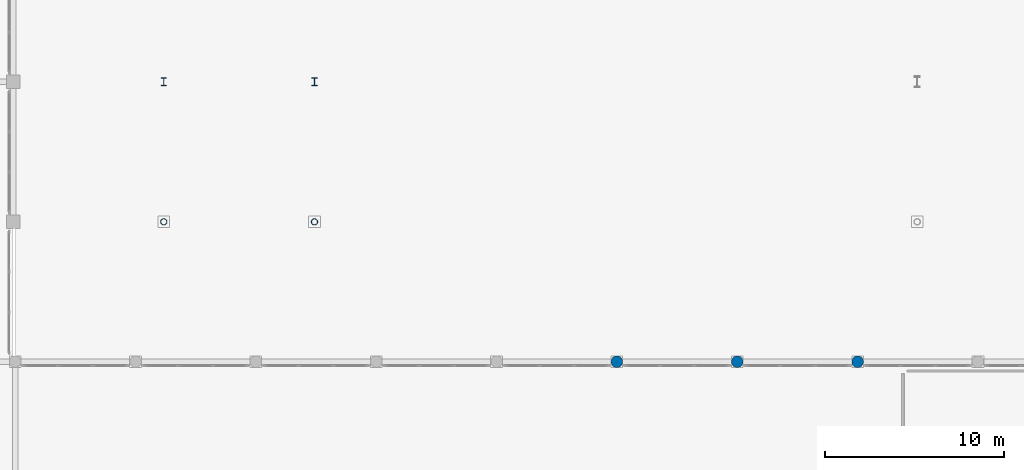
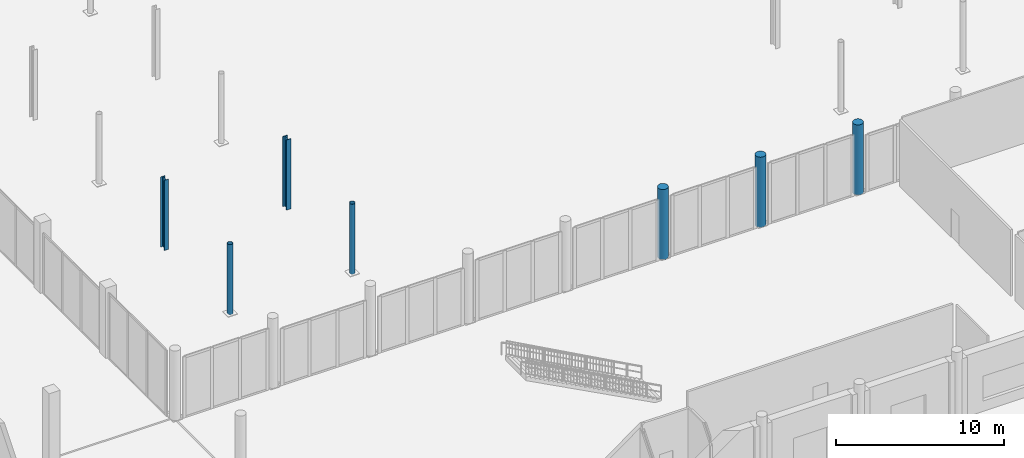
# One storey, part 6 of 80: 7 columns.
"""IFC4 building model written with IfcOpenShell, lengths in metres."""

from ifc_helpers import new_model, si_unit, direction, frame, origin, origin_2d, place, context, subcontext, project, spatial, circle, hollow_circle, i_section, extrude, material, material_profile, profile_set, type_object, element, save


model = new_model("IFC4")

# Units and contexts
model_context = context("Model", 3, precision=1e-05, world=origin(), true_north=direction((0.0, 1.0)))
body_context = subcontext(model_context, "Body", "Model", "MODEL_VIEW")
ifc_project = project(units=[si_unit("LENGTHUNIT", "METRE"), si_unit("AREAUNIT", "SQUARE_METRE"), si_unit("VOLUMEUNIT", "CUBIC_METRE"), si_unit("PLANEANGLEUNIT", "RADIAN"), si_unit("MASSUNIT", "GRAM", prefix="KILO")], contexts=[model_context])

# Site, building, storey
site_placement = place(None, origin())
site = spatial("IfcSite", under=ifc_project, at=site_placement, CompositionType="ELEMENT")
building_placement = place(site_placement, origin())
building = spatial("IfcBuilding", under=site, at=building_placement, Name="Nabrawat Pavilion Hospital", CompositionType="ELEMENT")
storey_placement = place(building_placement, origin())
storey = spatial("IfcBuildingStorey", under=building, at=storey_placement, Name="L00", CompositionType="ELEMENT", Elevation=0.0)

# Columns
ifc_material_1 = material(Name="Steel S355", Category="steel")
ifc_material_profile_1 = material_profile(ifc_material_1, hollow_circle(Radius=0.177734375, WallThickness=0.01611328125, at=origin_2d()), Name="CHS 355.6x16")
ifc_profile_set_1 = profile_set([ifc_material_profile_1], Name="Steel S355")
column_type_1 = type_object("IfcColumnType", Name="Courtyard Link Bridge Column CHS 355.6x16", PredefinedType="COLUMN", material=ifc_profile_set_1)
for number, where, z_axis, x_axis, name in (
    (1, (75.60009765625, 46.800048828125, 0.0), (0.0, 0.0, 1.0), (1.0, 0.0, 0.0), "L00 Structural Column G-10-G"),
    (2, (67.199951171875, 46.800048828125, 0.0), (0.0, 0.0, 1.0), (1.0, 0.0, 0.0), "L00 Structural Column G-9-G"),
):
    element("IfcColumn", number, at=place(storey_placement, frame(where, z_axis=z_axis, x_axis=x_axis)), inside=storey, type_object=column_type_1, Name=name, PredefinedType="COLUMN", context=body_context, shape_type="SweptSolid", body=[
        extrude(hollow_circle(Radius=0.177734375, WallThickness=0.01611328125, at=origin_2d()), origin(), (0.0, 0.0, 1.0), 5.10009765625),
    ])
ifc_material_profile_2 = material_profile(ifc_material_1, i_section(OverallWidth=0.300048828125, OverallDepth=0.43994140625, WebThickness=0.011474609375, FlangeThickness=0.02099609375, FilletRadius=0.027099609375, at=origin_2d()), Name="HEA 450")
ifc_profile_set_2 = profile_set([ifc_material_profile_2], Name="Steel S355")
column_type_2 = type_object("IfcColumnType", Name="Emergency Wing Steel Column HEA 450", PredefinedType="COLUMN", material=ifc_profile_set_2)
for number, where, z_axis, x_axis, name in (
    (3, (75.60009765625, 54.60009765625, 0.0), (0.0, 0.0, 1.0), (1.0, 0.0, 0.0), "L00 Structural Column G-10-H"),
    (4, (67.199951171875, 54.60009765625, 0.0), (0.0, 0.0, 1.0), (1.0, 0.0, 0.0), "L00 Structural Column G-9-H"),
):
    element("IfcColumn", number, at=place(storey_placement, frame(where, z_axis=z_axis, x_axis=x_axis)), inside=storey, type_object=column_type_2, Name=name, PredefinedType="COLUMN", context=body_context, shape_type="SweptSolid", body=[
        extrude(i_section(OverallWidth=0.300048828125, OverallDepth=0.43994140625, WebThickness=0.011474609375, FlangeThickness=0.02099609375, FilletRadius=0.027099609375, at=origin_2d()), origin(), (0.0, 0.0, 1.0), 5.10009765625),
    ])
ifc_material_2 = material(Name="Concrete C40/50", Category="concrete")
ifc_material_profile_3 = material_profile(ifc_material_2, circle(Radius=0.324951171875, at=origin_2d()), Name="RC D650")
ifc_profile_set_3 = profile_set([ifc_material_profile_3], Name="Concrete C40/50")
column_type_3 = type_object("IfcColumnType", Name="Expressed Pavilion Column D650", PredefinedType="COLUMN", material=ifc_profile_set_3)
for number, where, z_axis, x_axis, name in (
    (5, (92.4599609375, 39.0, 0.0), (0.0, 0.0, 1.0), (1.0, 0.0, 0.0), "L00 Expressed Pavilion Column MH-N05"),
    (6, (99.16796875, 39.0, 0.0), (0.0, 0.0, 1.0), (1.0, 0.0, 0.0), "L00 Expressed Pavilion Column MH-N06"),
    (7, (105.8759765625, 39.0, 0.0), (0.0, 0.0, 1.0), (1.0, 0.0, 0.0), "L00 Expressed Pavilion Column MH-N07"),
):
    element("IfcColumn", number, at=place(storey_placement, frame(where, z_axis=z_axis, x_axis=x_axis)), inside=storey, type_object=column_type_3, Name=name, PredefinedType="COLUMN", context=body_context, shape_type="SweptSolid", body=[
        extrude(circle(Radius=0.324951171875, at=origin_2d()), origin(), (0.0, 0.0, 1.0), 5.10009765625),
    ])

save(model, "model.ifc")
